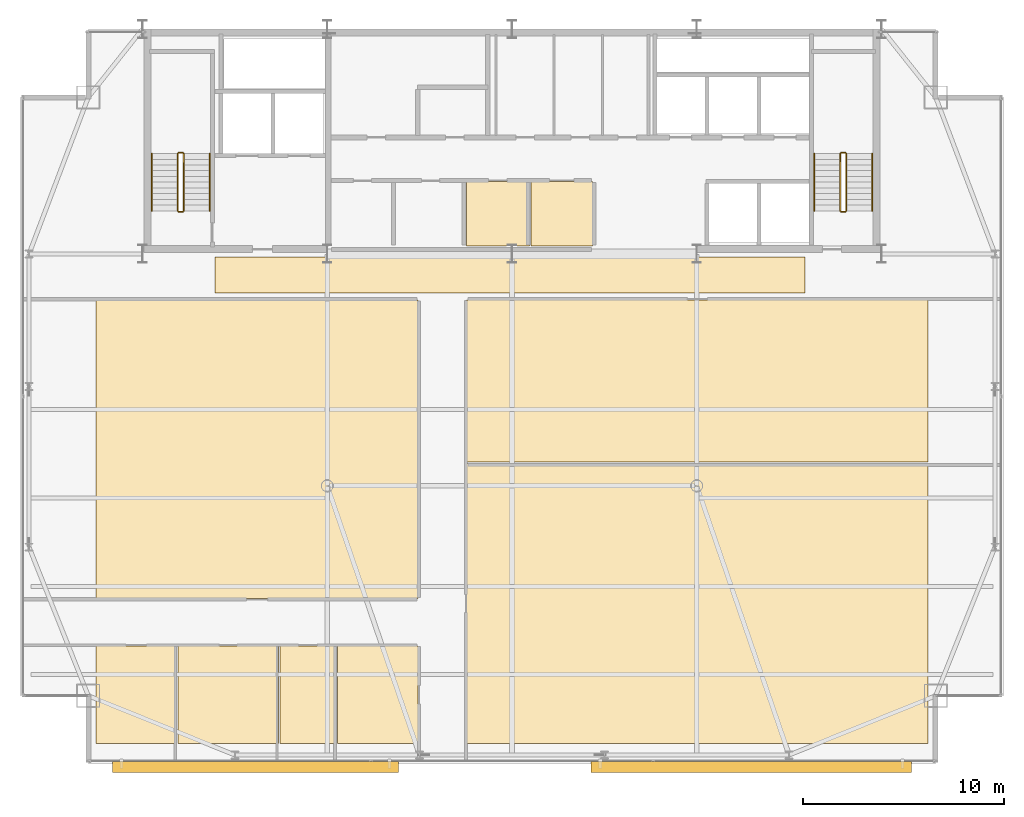
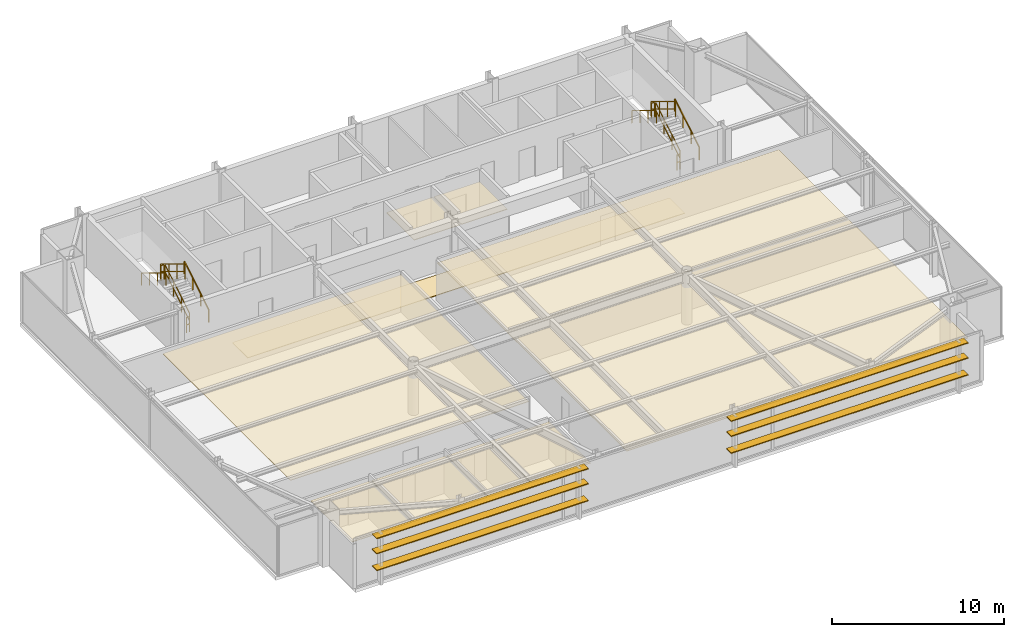
# One storey, part 25 of 25: 12 railings, 10 coverings, 6 shading devices.
"""IFC4 building model written with IfcOpenShell, lengths in metres."""

import ifcopenshell
import ifcopenshell.guid

model = None  # the IFC model being written
_history = None  # IfcOwnerHistory: only IFC2X3 demands one
_inside = {}  # id of a spatial element -> (the spatial element, [elements in it])
_under = {}  # id of a project, library or spatial element -> (it, [spatial elements below it])
_declared = {}  # id of a project -> (the project, [libraries it declares])
_typed = {}  # id of a type object -> (the type object, [elements of that type])
_made_of = {}  # id of a material, layer set ... -> (it, [elements and type objects made of it])


def new_model(schema):
    """Start an empty IFC model of exactly this schema.

    Asked for "IFC4X3", IfcOpenShell would pick the latest addendum, in which some entities
    have other attributes; the version numbers below select the first issue.
    IFC2X3 requires an IfcOwnerHistory on every rooted entity: one is made here for all.
    """
    global model, _history
    if schema == "IFC4X3":
        model = ifcopenshell.file(schema_version=(4, 3, 0, 0))
    else:
        model = ifcopenshell.file(schema=schema)
    _inside.clear()
    _under.clear()
    _declared.clear()
    _typed.clear()
    _made_of.clear()
    _history = None
    if model.schema == "IFC2X3":
        org = make("IfcOrganization", Name="unknown")
        user = make(
            "IfcPersonAndOrganization",
            ThePerson=make("IfcPerson", FamilyName="unknown"),
            TheOrganization=org,
        )
        app = make(
            "IfcApplication",
            ApplicationDeveloper=org,
            Version="unknown",
            ApplicationFullName="unknown",
            ApplicationIdentifier="unknown",
        )
        _history = make(
            "IfcOwnerHistory",
            OwningUser=user,
            OwningApplication=app,
            ChangeAction="ADDED",
            CreationDate=0,
        )
    return model


def make(cls, **values):
    """One entity of the class cls with the attributes given. An attribute that is None is left unset."""
    return model.create_entity(
        cls, **{name: value for name, value in values.items() if value is not None}
    )


def rooted(cls, **values):
    """An entity with a GlobalId (a new one), such as an element, a storey or a relation."""
    return make(cls, GlobalId=ifcopenshell.guid.new(), OwnerHistory=_history, **values)


def si_unit(unit_type, name, prefix=None):
    """IfcSIUnit, for example si_unit("LENGTHUNIT", "METRE", prefix="MILLI")."""
    return make("IfcSIUnit", UnitType=unit_type, Prefix=prefix, Name=name)


def assignment(units):
    """IfcUnitAssignment: the units of a project."""
    return None if units is None else make("IfcUnitAssignment", Units=units)


def point(xyz):
    """IfcCartesianPoint."""
    return None if xyz is None else make("IfcCartesianPoint", Coordinates=xyz)


def direction(xyz):
    """IfcDirection."""
    return None if xyz is None else make("IfcDirection", DirectionRatios=xyz)


def frame(location, z_axis=None, x_axis=None):
    """IfcAxis2Placement3D, a coordinate frame: its origin and axes. An axis left out is left unset."""
    return make(
        "IfcAxis2Placement3D",
        Location=point(location),
        Axis=direction(z_axis),
        RefDirection=direction(x_axis),
    )


def frame_2d(location, x_axis=None):
    """IfcAxis2Placement2D, a coordinate frame in the plane: its origin and x axis."""
    return make(
        "IfcAxis2Placement2D", Location=point(location), RefDirection=direction(x_axis)
    )


def origin():
    """The frame at (0, 0, 0) with its axes left unset."""
    return frame((0.0, 0.0, 0.0))


def origin_2d():
    """The frame at (0, 0) in the plane with its x axis left unset."""
    return frame_2d((0.0, 0.0))


def place(relative_to, where):
    """IfcLocalPlacement: puts the frame where relative to a parent placement (None: the world)."""
    return make(
        "IfcLocalPlacement", PlacementRelTo=relative_to, RelativePlacement=where
    )


def context(
    kind, dimensions, precision=None, world=None, true_north=None, identifier=None
):
    """IfcGeometricRepresentationContext, for example the 3D "Model" context."""
    return make(
        "IfcGeometricRepresentationContext",
        ContextIdentifier=identifier,
        ContextType=kind,
        CoordinateSpaceDimension=dimensions,
        Precision=precision,
        WorldCoordinateSystem=world,
        TrueNorth=true_north,
    )


def subcontext(parent, identifier, kind, view, scale=None):
    """IfcGeometricRepresentationSubContext, for example "Body" below "Model"."""
    return make(
        "IfcGeometricRepresentationSubContext",
        ContextIdentifier=identifier,
        ContextType=kind,
        ParentContext=parent,
        TargetScale=scale,
        TargetView=view,
    )


def project(units=None, contexts=None):
    """IfcProject with its units and contexts."""
    return rooted(
        "IfcProject",
        Name="project",
        RepresentationContexts=contexts,
        UnitsInContext=assignment(units),
    )


def spatial(cls, under=None, at=None, **own):
    """A site, building, storey or space (cls), placed at a placement, below another one or the project."""
    s = rooted(cls, ObjectPlacement=at, **own)
    if under is not None:
        _under.setdefault(under.id(), (under, []))[1].append(s)
    return s


def polyline(points):
    """IfcPolyline through the points."""
    return make("IfcPolyline", Points=[point(p) for p in points])


def profile(cls, at=None, kind="AREA", **sizes):
    """A parametric profile (cls). Its sizes go by their IFC names, for example OverallWidth=200.0."""
    return make(cls, ProfileType=kind, Position=at, **sizes)


def rectangle(**sizes):
    """IfcRectangleProfileDef."""
    return profile("IfcRectangleProfileDef", **sizes)


def outline(outer, holes=None, kind="AREA"):
    """IfcArbitraryClosedProfileDef: a profile drawn as a closed curve; with holes, ...WithVoids."""
    if holes is None:
        return make("IfcArbitraryClosedProfileDef", ProfileType=kind, OuterCurve=outer)
    return make(
        "IfcArbitraryProfileDefWithVoids",
        ProfileType=kind,
        OuterCurve=outer,
        InnerCurves=holes,
    )


def extrude(swept, where, along, depth):
    """IfcExtrudedAreaSolid: the profile swept, set in the frame where, extruded along a direction by depth."""
    return make(
        "IfcExtrudedAreaSolid",
        SweptArea=swept,
        Position=where,
        ExtrudedDirection=direction(along),
        Depth=depth,
    )


def shape(context_of_items, identifier, shape_type, items):
    """IfcShapeRepresentation: the items that make up one representation, for example the "Body"."""
    return make(
        "IfcShapeRepresentation",
        ContextOfItems=context_of_items,
        RepresentationIdentifier=identifier,
        RepresentationType=shape_type,
        Items=items,
    )


def source(mapping_origin, context_of_items, identifier, shape_type, items):
    """IfcRepresentationMap: a shape defined once, which mapped items show again and again."""
    return make(
        "IfcRepresentationMap",
        MappingOrigin=mapping_origin,
        MappedRepresentation=shape(context_of_items, identifier, shape_type, items),
    )


def transform(
    local_origin,
    x_axis=None,
    y_axis=None,
    z_axis=None,
    scale=None,
    scale2=None,
    scale3=None,
    uniform=True,
):
    """IfcCartesianTransformationOperator3D, or its non-uniform kind. x_axis, y_axis, z_axis: its Axis1, 2, 3."""
    if uniform:
        return make(
            "IfcCartesianTransformationOperator3D",
            Axis1=direction(x_axis),
            Axis2=direction(y_axis),
            LocalOrigin=point(local_origin),
            Scale=scale,
            Axis3=direction(z_axis),
        )
    return make(
        "IfcCartesianTransformationOperator3DnonUniform",
        Axis1=direction(x_axis),
        Axis2=direction(y_axis),
        LocalOrigin=point(local_origin),
        Scale=scale,
        Axis3=direction(z_axis),
        Scale2=scale2,
        Scale3=scale3,
    )


def mapped(mapping_source, mapping_target):
    """IfcMappedItem: shows the shape of a source again, moved by a transform."""
    return make(
        "IfcMappedItem", MappingSource=mapping_source, MappingTarget=mapping_target
    )


def material(Name=None, Category=None):
    """IfcMaterial."""
    return make("IfcMaterial", Name=Name, Category=Category)


def layer(
    of_material, thickness, ventilated=None, Name=None, Category=None, Priority=None
):
    """IfcMaterialLayer: one layer of a wall or slab, of a material (None: an air gap)."""
    return make(
        "IfcMaterialLayer",
        Material=of_material,
        LayerThickness=thickness,
        IsVentilated=ventilated,
        Name=Name,
        Category=Category,
        Priority=Priority,
    )


def layer_set(layers, Name=None):
    """IfcMaterialLayerSet."""
    return make("IfcMaterialLayerSet", MaterialLayers=layers, LayerSetName=Name)


def made_of(thing, what):
    """Note that an element or type object is made of a material, layer set ...; save() writes the relation."""
    if what is not None:
        _made_of.setdefault(what.id(), (what, []))[1].append(thing)
    return thing


def type_object(cls, material=None, **own):
    """A type object (cls), such as IfcWallType, which elements share."""
    return made_of(rooted(cls, **own), material)


def type_shapes(of_type, sources):
    """Give a type object the sources (RepresentationMaps) that its elements show as mapped items."""
    of_type.RepresentationMaps = sources


def element(
    cls,
    number,
    at=None,
    inside=None,
    cuts=None,
    type_object=None,
    material=None,
    context=None,
    identifier="Body",
    shape_type=None,
    held_by="IfcProductDefinitionShape",
    body=None,
    shapes=None,
    **own,
):
    """One element of the class cls, such as IfcWall. Its Tag is "e" and its number.

    at: its placement. inside: the storey or other place that contains it. cuts: it is an
    opening in that element (IfcRelVoidsElement). A single representation is given by context,
    identifier, shape_type and body (its items); several are given by shapes. held_by: the class
    of the entity that holds the representations. save() writes the other relations.
    """
    e = rooted(cls, Tag="e%d" % number, ObjectPlacement=at, **own)
    if body is not None:
        shapes = [shape(context, identifier, shape_type, body)]
    if shapes is not None:
        e.Representation = make(held_by, Representations=shapes)
    if inside is not None:
        _inside.setdefault(inside.id(), (inside, []))[1].append(e)
    if cuts is not None:
        rooted(
            "IfcRelVoidsElement", RelatingBuildingElement=cuts, RelatedOpeningElement=e
        )
    if type_object is not None:
        _typed.setdefault(type_object.id(), (type_object, []))[1].append(e)
    return made_of(e, material)


def aggregate(whole, parts):
    """IfcRelAggregates: a whole, such as a stair, and the parts it consists of."""
    return rooted("IfcRelAggregates", RelatingObject=whole, RelatedObjects=parts)


def save(model, path):
    """Write the relations noted so far, then the file.

    IfcRelAggregates (storeys below a building ...), IfcRelContainedInSpatialStructure (elements
    in a storey), IfcRelDefinesByType, IfcRelAssociatesMaterial and IfcRelDeclares: one each for
    every whole, place, type object, material and project.
    """
    for whole, parts in _under.values():
        aggregate(whole, parts)
    for where, things in _inside.values():
        rooted(
            "IfcRelContainedInSpatialStructure",
            RelatedElements=things,
            RelatingStructure=where,
        )
    for kind, things in _typed.values():
        rooted("IfcRelDefinesByType", RelatedObjects=things, RelatingType=kind)
    for what, things in _made_of.values():
        rooted("IfcRelAssociatesMaterial", RelatedObjects=things, RelatingMaterial=what)
    for by, libraries in _declared.values():
        rooted("IfcRelDeclares", RelatingContext=by, RelatedDefinitions=libraries)
    model.write(path)


model = new_model("IFC4")

# Units and contexts
model_context = context("Model", 3, precision=1e-05, world=origin(), true_north=direction((0.0, 1.0)))
body_context = subcontext(model_context, "Body", "Model", "MODEL_VIEW")
ifc_project = project(units=[si_unit("LENGTHUNIT", "METRE"), si_unit("AREAUNIT", "SQUARE_METRE"), si_unit("VOLUMEUNIT", "CUBIC_METRE"), si_unit("PLANEANGLEUNIT", "RADIAN"), si_unit("MASSUNIT", "GRAM", prefix="KILO")], contexts=[model_context])

# Site, building, storey
site_placement = place(None, origin())
site = spatial("IfcSite", under=ifc_project, at=site_placement, CompositionType="ELEMENT")
building_placement = place(site_placement, origin())
building = spatial("IfcBuilding", under=site, at=building_placement, Name="Varnel Quay Broadcast Tower", CompositionType="ELEMENT")
storey_placement = place(building_placement, frame((0.0, 0.0, 250.800048828125)))
storey = spatial("IfcBuildingStorey", under=building, at=storey_placement, Name="L62", CompositionType="ELEMENT", Elevation=250.800048828125)

# Coverings
ifc_material_1 = material(Name="Micro-Perforated Acoustic Ceiling Tile")
ifc_layer_1 = layer(ifc_material_1, 0.0400390625, Name="Micro-Perforated Acoustic Ceiling Tile")
ifc_layer_set_1 = layer_set([ifc_layer_1], Name="Micro-Perforated Acoustic Ceiling Tile")
covering_type_1 = type_object("IfcCoveringType", Name="Cov_AcousticCeiling", PredefinedType="CEILING", material=ifc_layer_set_1)
covering_1_placement = place(storey_placement, frame((0.0, 0.0, 2.579833984375)))
element("IfcCovering", 1, at=covering_1_placement, inside=storey, type_object=covering_type_1, Name="L62 Broadcast First-Aid & Quiet Room Acoustic Ceiling", PredefinedType="CEILING", context=body_context, shape_type="SweptSolid", body=[
    extrude(outline(polyline([(31.735107421875, 35.985107421875), (34.864990234375, 35.985107421875), (34.864990234375, 39.215087890625), (31.735107421875, 39.215087890625), (31.735107421875, 35.985107421875)])), origin(), (0.0, 0.0, 1.0), 0.0400390625),
])
covering_2_placement = place(storey_placement, frame((0.0, 0.0, 2.579833984375)))
element("IfcCovering", 2, at=covering_2_placement, inside=storey, type_object=covering_type_1, Name="L62 Zone Lighting Dimmer Room Acoustic Ceiling", PredefinedType="CEILING", context=body_context, shape_type="SweptSolid", body=[
    extrude(outline(polyline([(34.93505859375, 35.985107421875), (38.014892578125, 35.985107421875), (38.014892578125, 39.215087890625), (34.93505859375, 39.215087890625), (34.93505859375, 35.985107421875)])), origin(), (0.0, 0.0, 1.0), 0.0400390625),
])
covering_3_placement = place(storey_placement, frame((0.0, 0.0, 2.579833984375)))
element("IfcCovering", 3, at=covering_3_placement, inside=storey, type_object=covering_type_1, Name="L62 Press Green Lounge 1 Acoustic Ceiling", PredefinedType="CEILING", context=body_context, shape_type="SweptSolid", body=[
    extrude(outline(polyline([(13.284912109375, 11.22509765625), (17.294921875, 11.22509765625), (17.294921875, 16.074951171875), (13.284912109375, 16.074951171875), (13.284912109375, 11.22509765625)])), origin(), (0.0, 0.0, 1.0), 0.0400390625),
])
covering_4_placement = place(storey_placement, frame((0.0, 0.0, 2.579833984375)))
element("IfcCovering", 4, at=covering_4_placement, inside=storey, type_object=covering_type_1, Name="L62 Camera Locker Store 2 Acoustic Ceiling", PredefinedType="CEILING", context=body_context, shape_type="SweptSolid", body=[
    extrude(outline(polyline([(17.364990234375, 11.22509765625), (22.364990234375, 11.22509765625), (22.364990234375, 16.074951171875), (17.364990234375, 16.074951171875), (17.364990234375, 11.22509765625)])), origin(), (0.0, 0.0, 1.0), 0.0400390625),
])
covering_5_placement = place(storey_placement, frame((0.0, 0.0, 2.579833984375)))
element("IfcCovering", 5, at=covering_5_placement, inside=storey, type_object=covering_type_1, Name="L62 Broadcast Newsroom 3 Acoustic Ceiling", PredefinedType="CEILING", context=body_context, shape_type="SweptSolid", body=[
    extrude(outline(polyline([(22.43505859375, 11.22509765625), (25.2451171875, 11.22509765625), (25.2451171875, 16.074951171875), (22.43505859375, 16.074951171875), (22.43505859375, 11.22509765625)])), origin(), (0.0, 0.0, 1.0), 0.0400390625),
])
covering_6_placement = place(storey_placement, frame((0.0, 0.0, 2.579833984375)))
element("IfcCovering", 6, at=covering_6_placement, inside=storey, type_object=covering_type_1, Name="L62 Assignment Desk 4 Acoustic Ceiling", PredefinedType="CEILING", context=body_context, shape_type="SweptSolid", body=[
    extrude(outline(polyline([(25.31494140625, 11.22509765625), (29.324951171875, 11.22509765625), (29.324951171875, 16.074951171875), (25.31494140625, 16.074951171875), (25.31494140625, 11.22509765625)])), origin(), (0.0, 0.0, 1.0), 0.0400390625),
])
covering_7_placement = place(storey_placement, frame((0.0, 0.0, 2.579833984375)))
element("IfcCovering", 7, at=covering_7_placement, inside=storey, type_object=covering_type_1, Name="L62 Editorial Boardroom 5 Acoustic Ceiling", PredefinedType="CEILING", context=body_context, shape_type="SweptSolid", body=[
    extrude(outline(polyline([(13.284912109375, 18.445068359375), (29.324951171875, 18.445068359375), (29.324951171875, 33.31494140625), (13.284912109375, 33.31494140625), (13.284912109375, 18.445068359375)])), origin(), (0.0, 0.0, 1.0), 0.0400390625),
])
covering_8_placement = place(storey_placement, frame((0.0, 0.0, 2.579833984375)))
element("IfcCovering", 8, at=covering_8_placement, inside=storey, type_object=covering_type_1, Name="L62 Break Kitchen 6 Acoustic Ceiling", PredefinedType="CEILING", context=body_context, shape_type="SweptSolid", body=[
    extrude(outline(polyline([(31.7451171875, 11.22509765625), (54.715087890625, 11.22509765625), (54.715087890625, 25.1650390625), (31.7451171875, 25.1650390625), (31.7451171875, 11.22509765625)])), origin(), (0.0, 0.0, 1.0), 0.0400390625),
])
covering_9_placement = place(storey_placement, frame((0.0, 0.0, 2.579833984375)))
element("IfcCovering", 9, at=covering_9_placement, inside=storey, type_object=covering_type_1, Name="L62 Press Green Lounge 7 Acoustic Ceiling", PredefinedType="CEILING", context=body_context, shape_type="SweptSolid", body=[
    extrude(outline(polyline([(31.7451171875, 25.235107421875), (54.715087890625, 25.235107421875), (54.715087890625, 33.31494140625), (31.7451171875, 33.31494140625), (31.7451171875, 25.235107421875)])), origin(), (0.0, 0.0, 1.0), 0.0400390625),
])
ifc_material_2 = material(Name="Polished Terrazzo & Broadcast Raised Flooring")
ifc_layer_2 = layer(ifc_material_2, 0.0400390625, Name="Polished Terrazzo & Broadcast Raised Flooring")
ifc_layer_set_2 = layer_set([ifc_layer_2], Name="Polished Terrazzo & Broadcast Raised Flooring")
covering_type_2 = type_object("IfcCoveringType", Name="Cov_TerrazzoFloor", PredefinedType="FLOORING", material=ifc_layer_set_2)
covering_10_placement = place(storey_placement, origin())
element("IfcCovering", 10, at=covering_10_placement, inside=storey, type_object=covering_type_2, Name="L62 Corridor Terrazzo Flooring", PredefinedType="FLOORING", context=body_context, shape_type="SweptSolid", body=[
    extrude(outline(polyline([(19.199951171875, 33.64990234375), (48.60009765625, 33.64990234375), (48.60009765625, 35.449951171875), (19.199951171875, 35.449951171875), (19.199951171875, 33.64990234375)])), origin(), (0.0, 0.0, 1.0), 0.0400390625),
])

# Railings
ifc_material_3 = material(Name="Painted Steel Guard and Handrail CSA G40.21 350W", Category="steel")
railing_type_1 = type_object("IfcRailingType", Name="Rail_StairGuard1100", PredefinedType="GUARDRAIL", material=ifc_material_3)
railing_1_placement = place(storey_placement, frame((17.64990234375, 37.75, 0.172607421875)))
element("IfcRailing", 11, at=railing_1_placement, inside=storey, type_object=railing_type_1, Name="L62 ST-01 stair guard 1", PredefinedType="GUARDRAIL", context=body_context, shape_type="SweptSolid", body=[
    extrude(rectangle(XDim=0.048095703125, YDim=0.048095703125, at=origin_2d()), frame((0.0, 0.0, 1.076171875), z_axis=(0.0, 0.855202751398, 0.518293598264), x_axis=(-1.0, 0.0, 0.0)), (0.0, 0.0, 1.0), 3.332763671875),
    extrude(rectangle(XDim=0.048095703125, YDim=0.048095703125, at=origin_2d()), frame((0.0, 0.0, 0.550048828125), z_axis=(0.0, 0.855202751398, 0.518293598264), x_axis=(-1.0, 0.0, 0.0)), (0.0, 0.0, 1.0), 3.332763671875),
    extrude(rectangle(XDim=0.0419921875, YDim=0.0419921875, at=origin_2d()), origin(), (0.0, 0.0, 1.0), 1.052001953125),
    extrude(rectangle(XDim=0.0419921875, YDim=0.0419921875, at=origin_2d()), frame((0.0, 0.949951171875, 0.57568359375)), (0.0, 0.0, 1.0), 1.052001953125),
    extrude(rectangle(XDim=0.0419921875, YDim=0.0419921875, at=origin_2d()), frame((0.0, 1.900146484375, 1.151611328125)), (0.0, 0.0, 1.0), 1.052001953125),
    extrude(rectangle(XDim=0.0419921875, YDim=0.0419921875, at=origin_2d()), frame((0.0, 2.85009765625, 1.727294921875)), (0.0, 0.0, 1.0), 1.052001953125),
])
railing_2_placement = place(storey_placement, frame((17.60009765625, 40.64990234375, 1.89990234375)))
element("IfcRailing", 12, at=railing_2_placement, inside=storey, type_object=railing_type_1, Name="L62 ST-01 stair guard 2", PredefinedType="GUARDRAIL", context=body_context, shape_type="SweptSolid", body=[
    extrude(rectangle(XDim=0.048095703125, YDim=0.048095703125, at=origin_2d()), frame((0.0, 0.0, 1.076171875), z_axis=(-1.0, 0.0, 0.0), x_axis=(0.0, -1.0, 0.0)), (0.0, 0.0, 1.0), 0.2001953125),
    extrude(rectangle(XDim=0.048095703125, YDim=0.048095703125, at=origin_2d()), frame((0.0, 0.0, 0.550048828125), z_axis=(-1.0, 0.0, 0.0), x_axis=(0.0, -1.0, 0.0)), (0.0, 0.0, 1.0), 0.2001953125),
    extrude(rectangle(XDim=0.0419921875, YDim=0.0419921875, at=origin_2d()), origin(), (0.0, 0.0, 1.0), 1.052001953125),
    extrude(rectangle(XDim=0.0419921875, YDim=0.0419921875, at=origin_2d()), frame((-0.2001953125, 0.0, 0.0)), (0.0, 0.0, 1.0), 1.052001953125),
])
railing_3_placement = place(storey_placement, frame((17.35009765625, 40.60009765625, 2.07275390625)))
element("IfcRailing", 13, at=railing_3_placement, inside=storey, type_object=railing_type_1, Name="L62 ST-01 stair guard 3", PredefinedType="GUARDRAIL", context=body_context, shape_type="SweptSolid", body=[
    extrude(rectangle(XDim=0.048095703125, YDim=0.048095703125, at=origin_2d()), frame((0.0, 0.0, 1.076171875), z_axis=(0.0, -0.855202751398, 0.518293598264), x_axis=(1.0, 0.0, 0.0)), (0.0, 0.0, 1.0), 3.332763671875),
    extrude(rectangle(XDim=0.048095703125, YDim=0.048095703125, at=origin_2d()), frame((0.0, 0.0, 0.550048828125), z_axis=(0.0, -0.855202751398, 0.518293598264), x_axis=(1.0, 0.0, 0.0)), (0.0, 0.0, 1.0), 3.332763671875),
    extrude(rectangle(XDim=0.0419921875, YDim=0.0419921875, at=origin_2d()), origin(), (0.0, 0.0, 1.0), 1.052001953125),
    extrude(rectangle(XDim=0.0419921875, YDim=0.0419921875, at=origin_2d()), frame((0.0, -0.949951171875, 0.57568359375)), (0.0, 0.0, 1.0), 1.052001953125),
    extrude(rectangle(XDim=0.0419921875, YDim=0.0419921875, at=origin_2d()), frame((0.0, -1.900146484375, 1.151611328125)), (0.0, 0.0, 1.0), 1.052001953125),
    extrude(rectangle(XDim=0.0419921875, YDim=0.0419921875, at=origin_2d()), frame((0.0, -2.85009765625, 1.727294921875)), (0.0, 0.0, 1.0), 1.052001953125),
])
railing_4_placement = place(storey_placement, frame((17.60009765625, 37.699951171875, 0.0)))
element("IfcRailing", 14, at=railing_4_placement, inside=storey, type_object=railing_type_1, Name="L62 ST-01 stair guard 4", PredefinedType="GUARDRAIL", context=body_context, shape_type="SweptSolid", body=[
    extrude(rectangle(XDim=0.048095703125, YDim=0.048095703125, at=origin_2d()), frame((0.0, 0.0, 1.076171875), z_axis=(-1.0, 0.0, 0.0), x_axis=(0.0, -1.0, 0.0)), (0.0, 0.0, 1.0), 0.2001953125),
    extrude(rectangle(XDim=0.048095703125, YDim=0.048095703125, at=origin_2d()), frame((0.0, 0.0, 0.550048828125), z_axis=(-1.0, 0.0, 0.0), x_axis=(0.0, -1.0, 0.0)), (0.0, 0.0, 1.0), 0.2001953125),
    extrude(rectangle(XDim=0.0419921875, YDim=0.0419921875, at=origin_2d()), origin(), (0.0, 0.0, 1.0), 1.052001953125),
    extrude(rectangle(XDim=0.0419921875, YDim=0.0419921875, at=origin_2d()), frame((-0.2001953125, 0.0, 0.0)), (0.0, 0.0, 1.0), 1.052001953125),
])
railing_5_placement = place(storey_placement, frame((50.64990234375, 37.75, 0.172607421875)))
element("IfcRailing", 15, at=railing_5_placement, inside=storey, type_object=railing_type_1, Name="L62 ST-02 stair guard 1", PredefinedType="GUARDRAIL", context=body_context, shape_type="SweptSolid", body=[
    extrude(rectangle(XDim=0.048095703125, YDim=0.048095703125, at=origin_2d()), frame((0.0, 0.0, 1.076171875), z_axis=(0.0, 0.855202751398, 0.518293598264), x_axis=(-1.0, 0.0, 0.0)), (0.0, 0.0, 1.0), 3.332763671875),
    extrude(rectangle(XDim=0.048095703125, YDim=0.048095703125, at=origin_2d()), frame((0.0, 0.0, 0.550048828125), z_axis=(0.0, 0.855202751398, 0.518293598264), x_axis=(-1.0, 0.0, 0.0)), (0.0, 0.0, 1.0), 3.332763671875),
    extrude(rectangle(XDim=0.0419921875, YDim=0.0419921875, at=origin_2d()), origin(), (0.0, 0.0, 1.0), 1.052001953125),
    extrude(rectangle(XDim=0.0419921875, YDim=0.0419921875, at=origin_2d()), frame((0.0, 0.949951171875, 0.57568359375)), (0.0, 0.0, 1.0), 1.052001953125),
    extrude(rectangle(XDim=0.0419921875, YDim=0.0419921875, at=origin_2d()), frame((0.0, 1.900146484375, 1.151611328125)), (0.0, 0.0, 1.0), 1.052001953125),
    extrude(rectangle(XDim=0.0419921875, YDim=0.0419921875, at=origin_2d()), frame((0.0, 2.85009765625, 1.727294921875)), (0.0, 0.0, 1.0), 1.052001953125),
])
railing_6_placement = place(storey_placement, frame((50.60009765625, 40.64990234375, 1.89990234375)))
element("IfcRailing", 16, at=railing_6_placement, inside=storey, type_object=railing_type_1, Name="L62 ST-02 stair guard 2", PredefinedType="GUARDRAIL", context=body_context, shape_type="SweptSolid", body=[
    extrude(rectangle(XDim=0.048095703125, YDim=0.048095703125, at=origin_2d()), frame((0.0, 0.0, 1.076171875), z_axis=(-1.0, 0.0, 0.0), x_axis=(0.0, -1.0, 0.0)), (0.0, 0.0, 1.0), 0.2001953125),
    extrude(rectangle(XDim=0.048095703125, YDim=0.048095703125, at=origin_2d()), frame((0.0, 0.0, 0.550048828125), z_axis=(-1.0, 0.0, 0.0), x_axis=(0.0, -1.0, 0.0)), (0.0, 0.0, 1.0), 0.2001953125),
    extrude(rectangle(XDim=0.0419921875, YDim=0.0419921875, at=origin_2d()), origin(), (0.0, 0.0, 1.0), 1.052001953125),
    extrude(rectangle(XDim=0.0419921875, YDim=0.0419921875, at=origin_2d()), frame((-0.2001953125, 0.0, 0.0)), (0.0, 0.0, 1.0), 1.052001953125),
])
railing_7_placement = place(storey_placement, frame((50.35009765625, 40.60009765625, 2.07275390625)))
element("IfcRailing", 17, at=railing_7_placement, inside=storey, type_object=railing_type_1, Name="L62 ST-02 stair guard 3", PredefinedType="GUARDRAIL", context=body_context, shape_type="SweptSolid", body=[
    extrude(rectangle(XDim=0.048095703125, YDim=0.048095703125, at=origin_2d()), frame((0.0, 0.0, 1.076171875), z_axis=(0.0, -0.855202751398, 0.518293598264), x_axis=(1.0, 0.0, 0.0)), (0.0, 0.0, 1.0), 3.332763671875),
    extrude(rectangle(XDim=0.048095703125, YDim=0.048095703125, at=origin_2d()), frame((0.0, 0.0, 0.550048828125), z_axis=(0.0, -0.855202751398, 0.518293598264), x_axis=(1.0, 0.0, 0.0)), (0.0, 0.0, 1.0), 3.332763671875),
    extrude(rectangle(XDim=0.0419921875, YDim=0.0419921875, at=origin_2d()), origin(), (0.0, 0.0, 1.0), 1.052001953125),
    extrude(rectangle(XDim=0.0419921875, YDim=0.0419921875, at=origin_2d()), frame((0.0, -0.949951171875, 0.57568359375)), (0.0, 0.0, 1.0), 1.052001953125),
    extrude(rectangle(XDim=0.0419921875, YDim=0.0419921875, at=origin_2d()), frame((0.0, -1.900146484375, 1.151611328125)), (0.0, 0.0, 1.0), 1.052001953125),
    extrude(rectangle(XDim=0.0419921875, YDim=0.0419921875, at=origin_2d()), frame((0.0, -2.85009765625, 1.727294921875)), (0.0, 0.0, 1.0), 1.052001953125),
])
railing_8_placement = place(storey_placement, frame((50.60009765625, 37.699951171875, 0.0)))
element("IfcRailing", 18, at=railing_8_placement, inside=storey, type_object=railing_type_1, Name="L62 ST-02 stair guard 4", PredefinedType="GUARDRAIL", context=body_context, shape_type="SweptSolid", body=[
    extrude(rectangle(XDim=0.048095703125, YDim=0.048095703125, at=origin_2d()), frame((0.0, 0.0, 1.076171875), z_axis=(-1.0, 0.0, 0.0), x_axis=(0.0, -1.0, 0.0)), (0.0, 0.0, 1.0), 0.2001953125),
    extrude(rectangle(XDim=0.048095703125, YDim=0.048095703125, at=origin_2d()), frame((0.0, 0.0, 0.550048828125), z_axis=(-1.0, 0.0, 0.0), x_axis=(0.0, -1.0, 0.0)), (0.0, 0.0, 1.0), 0.2001953125),
    extrude(rectangle(XDim=0.0419921875, YDim=0.0419921875, at=origin_2d()), origin(), (0.0, 0.0, 1.0), 1.052001953125),
    extrude(rectangle(XDim=0.0419921875, YDim=0.0419921875, at=origin_2d()), frame((-0.2001953125, 0.0, 0.0)), (0.0, 0.0, 1.0), 1.052001953125),
])
railing_type_2 = type_object("IfcRailingType", Name="Rail_StairHandrail900", PredefinedType="HANDRAIL", material=ifc_material_3)
railing_9_placement = place(storey_placement, frame((18.949951171875, 37.75, 0.172607421875)))
element("IfcRailing", 19, at=railing_9_placement, inside=storey, type_object=railing_type_2, Name="L62 ST-01 stair handrail 1", PredefinedType="HANDRAIL", context=body_context, shape_type="SweptSolid", body=[
    extrude(rectangle(XDim=0.048095703125, YDim=0.048095703125, at=origin_2d()), frame((0.0, 0.0, 0.8759765625), z_axis=(0.0, 0.855202751398, 0.518293598264), x_axis=(-1.0, 0.0, 0.0)), (0.0, 0.0, 1.0), 3.332763671875),
    extrude(rectangle(XDim=0.0419921875, YDim=0.0419921875, at=origin_2d()), origin(), (0.0, 0.0, 1.0), 0.851806640625),
    extrude(rectangle(XDim=0.0419921875, YDim=0.0419921875, at=origin_2d()), frame((0.0, 0.949951171875, 0.57568359375)), (0.0, 0.0, 1.0), 0.851806640625),
    extrude(rectangle(XDim=0.0419921875, YDim=0.0419921875, at=origin_2d()), frame((0.0, 1.900146484375, 1.151611328125)), (0.0, 0.0, 1.0), 0.851806640625),
    extrude(rectangle(XDim=0.0419921875, YDim=0.0419921875, at=origin_2d()), frame((0.0, 2.85009765625, 1.727294921875)), (0.0, 0.0, 1.0), 0.851806640625),
])
railing_10_placement = place(storey_placement, frame((16.050048828125, 40.60009765625, 2.07275390625)))
element("IfcRailing", 20, at=railing_10_placement, inside=storey, type_object=railing_type_2, Name="L62 ST-01 stair handrail 2", PredefinedType="HANDRAIL", context=body_context, shape_type="SweptSolid", body=[
    extrude(rectangle(XDim=0.048095703125, YDim=0.048095703125, at=origin_2d()), frame((0.0, 0.0, 0.8759765625), z_axis=(0.0, -0.855202751398, 0.518293598264), x_axis=(1.0, 0.0, 0.0)), (0.0, 0.0, 1.0), 3.332763671875),
    extrude(rectangle(XDim=0.0419921875, YDim=0.0419921875, at=origin_2d()), origin(), (0.0, 0.0, 1.0), 0.851806640625),
    extrude(rectangle(XDim=0.0419921875, YDim=0.0419921875, at=origin_2d()), frame((0.0, -0.949951171875, 0.57568359375)), (0.0, 0.0, 1.0), 0.851806640625),
    extrude(rectangle(XDim=0.0419921875, YDim=0.0419921875, at=origin_2d()), frame((0.0, -1.900146484375, 1.151611328125)), (0.0, 0.0, 1.0), 0.851806640625),
    extrude(rectangle(XDim=0.0419921875, YDim=0.0419921875, at=origin_2d()), frame((0.0, -2.85009765625, 1.727294921875)), (0.0, 0.0, 1.0), 0.851806640625),
])
railing_11_placement = place(storey_placement, frame((51.949951171875, 37.75, 0.172607421875)))
element("IfcRailing", 21, at=railing_11_placement, inside=storey, type_object=railing_type_2, Name="L62 ST-02 stair handrail 1", PredefinedType="HANDRAIL", context=body_context, shape_type="SweptSolid", body=[
    extrude(rectangle(XDim=0.048095703125, YDim=0.048095703125, at=origin_2d()), frame((0.0, 0.0, 0.8759765625), z_axis=(0.0, 0.855202751398, 0.518293598264), x_axis=(-1.0, 0.0, 0.0)), (0.0, 0.0, 1.0), 3.332763671875),
    extrude(rectangle(XDim=0.0419921875, YDim=0.0419921875, at=origin_2d()), origin(), (0.0, 0.0, 1.0), 0.851806640625),
    extrude(rectangle(XDim=0.0419921875, YDim=0.0419921875, at=origin_2d()), frame((0.0, 0.949951171875, 0.57568359375)), (0.0, 0.0, 1.0), 0.851806640625),
    extrude(rectangle(XDim=0.0419921875, YDim=0.0419921875, at=origin_2d()), frame((0.0, 1.900146484375, 1.151611328125)), (0.0, 0.0, 1.0), 0.851806640625),
    extrude(rectangle(XDim=0.0419921875, YDim=0.0419921875, at=origin_2d()), frame((0.0, 2.85009765625, 1.727294921875)), (0.0, 0.0, 1.0), 0.851806640625),
])
railing_12_placement = place(storey_placement, frame((49.050048828125, 40.60009765625, 2.07275390625)))
element("IfcRailing", 22, at=railing_12_placement, inside=storey, type_object=railing_type_2, Name="L62 ST-02 stair handrail 2", PredefinedType="HANDRAIL", context=body_context, shape_type="SweptSolid", body=[
    extrude(rectangle(XDim=0.048095703125, YDim=0.048095703125, at=origin_2d()), frame((0.0, 0.0, 0.8759765625), z_axis=(0.0, -0.855202751398, 0.518293598264), x_axis=(1.0, 0.0, 0.0)), (0.0, 0.0, 1.0), 3.332763671875),
    extrude(rectangle(XDim=0.0419921875, YDim=0.0419921875, at=origin_2d()), origin(), (0.0, 0.0, 1.0), 0.851806640625),
    extrude(rectangle(XDim=0.0419921875, YDim=0.0419921875, at=origin_2d()), frame((0.0, -0.949951171875, 0.57568359375)), (0.0, 0.0, 1.0), 0.851806640625),
    extrude(rectangle(XDim=0.0419921875, YDim=0.0419921875, at=origin_2d()), frame((0.0, -1.900146484375, 1.151611328125)), (0.0, 0.0, 1.0), 0.851806640625),
    extrude(rectangle(XDim=0.0419921875, YDim=0.0419921875, at=origin_2d()), frame((0.0, -2.85009765625, 1.727294921875)), (0.0, 0.0, 1.0), 0.851806640625),
])

# Shading devices
ifc_material_4 = material(Name="Bronze-Terracotta Extruded Ceramic Blade", Category="masonry")
ifc_layer_3 = layer(ifc_material_4, 0.06494140625, Name="Bronze-Terracotta Extruded Ceramic Blade")
ifc_layer_set_3 = layer_set([ifc_layer_3], Name="Bronze-Terracotta Extruded Ceramic Blade")
shading_device_type = type_object("IfcShadingDeviceType", Name="Shade_LouvreBlade550", PredefinedType="JALOUSIE", material=ifc_layer_set_3)
shared_shape_1 = source(origin(), body_context, "Body", "SweptSolid", [
    extrude(rectangle(XDim=15.9560546875, YDim=0.550048828125, at=origin_2d()), origin(), (0.0, 0.0, 1.0), 0.06494140625),
])
for number, where, z_axis, x_axis, name in (
    (23, (45.922119140625, 10.06005859375, 1.117431640625), (0.0, 0.0, 1.0), (1.0, 0.0, 0.0), "L62 Lobe 2 Horizontal Louvre Blade 1"),
    (24, (45.922119140625, 10.06005859375, 2.3173828125), (0.0, 0.0, 1.0), (1.0, 0.0, 0.0), "L62 Lobe 2 Horizontal Louvre Blade 2"),
    (25, (45.922119140625, 10.06005859375, 3.387451171875), (0.0, 0.0, 1.0), (1.0, 0.0, 0.0), "L62 Lobe 2 Horizontal Louvre Blade 3"),
):
    element("IfcShadingDevice", number, at=place(storey_placement, frame(where, z_axis=z_axis, x_axis=x_axis)), inside=storey, type_object=shading_device_type, Name=name, PredefinedType="JALOUSIE", context=body_context, shape_type="MappedRepresentation", body=[
        mapped(shared_shape_1, transform((0.0, 0.0, 0.0), x_axis=(1.0, 0.0, 0.0), y_axis=(0.0, 1.0, 0.0), z_axis=(0.0, 0.0, 1.0), scale=1.0)),
    ])
shared_shape_2 = source(origin(), body_context, "Body", "SweptSolid", [
    extrude(rectangle(XDim=14.243896484375, YDim=0.550048828125, at=origin_2d()), origin(), (0.0, 0.0, 1.0), 0.06494140625),
])
type_shapes(shading_device_type, [shared_shape_1, shared_shape_2])
for number, where, z_axis, x_axis, name in (
    (26, (21.221923828125, 10.06005859375, 1.117431640625), (0.0, 0.0, 1.0), (1.0, 0.0, 0.0), "L62 Lobe 1 Horizontal Louvre Blade 1"),
    (27, (21.221923828125, 10.06005859375, 2.3173828125), (0.0, 0.0, 1.0), (1.0, 0.0, 0.0), "L62 Lobe 1 Horizontal Louvre Blade 2"),
    (28, (21.221923828125, 10.06005859375, 3.387451171875), (0.0, 0.0, 1.0), (1.0, 0.0, 0.0), "L62 Lobe 1 Horizontal Louvre Blade 3"),
):
    element("IfcShadingDevice", number, at=place(storey_placement, frame(where, z_axis=z_axis, x_axis=x_axis)), inside=storey, type_object=shading_device_type, Name=name, PredefinedType="JALOUSIE", context=body_context, shape_type="MappedRepresentation", body=[
        mapped(shared_shape_2, transform((0.0, 0.0, 0.0), x_axis=(1.0, 0.0, 0.0), y_axis=(0.0, 1.0, 0.0), z_axis=(0.0, 0.0, 1.0), scale=1.0)),
    ])

save(model, "model.ifc")
